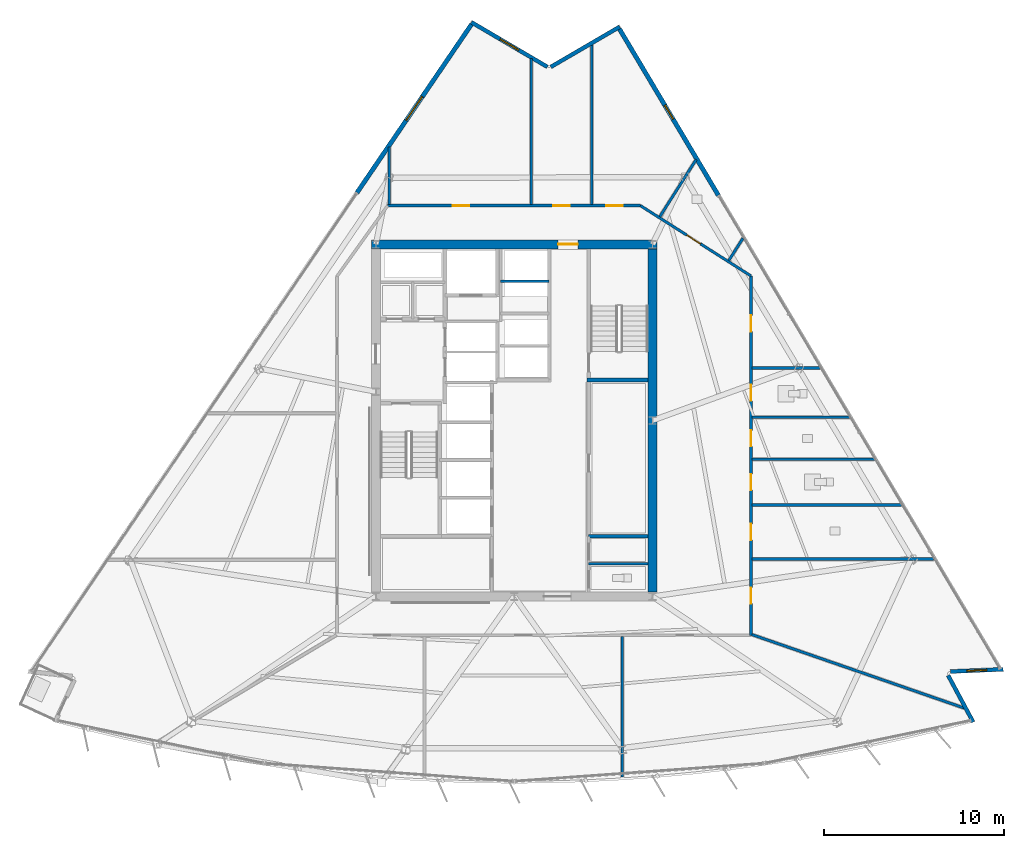
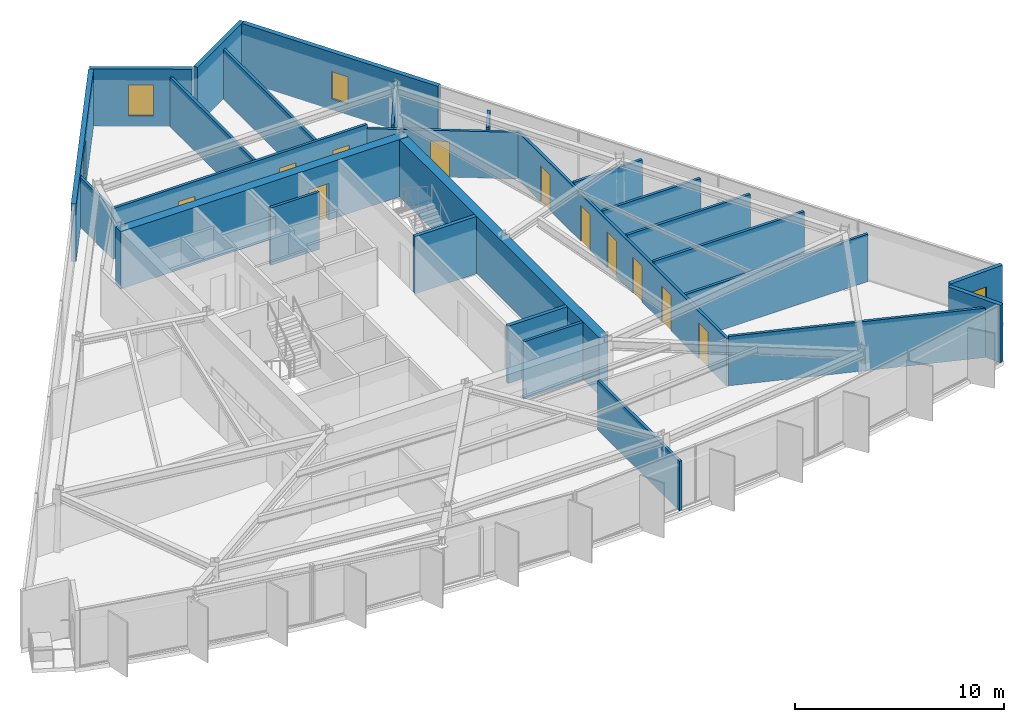
# One storey, part 9 of 15: 27 walls, 11 doors, 4 windows, 15 openings.
"""IFC4 building model written with IfcOpenShell, lengths in metres."""

from ifc_helpers import new_model, si_unit, direction, frame, frame_2d, origin, place, context, subcontext, project, spatial, rectangle, extrude, material, layer, layer_set, type_object, element, fill, save


model = new_model("IFC4")

# Units and contexts
model_context = context("Model", 3, precision=1e-05, world=origin(), true_north=direction((0.0, 1.0)))
body_context = subcontext(model_context, "Body", "Model", "MODEL_VIEW")
ifc_project = project(units=[si_unit("LENGTHUNIT", "METRE"), si_unit("AREAUNIT", "SQUARE_METRE"), si_unit("VOLUMEUNIT", "CUBIC_METRE"), si_unit("PLANEANGLEUNIT", "RADIAN"), si_unit("MASSUNIT", "GRAM", prefix="KILO")], contexts=[model_context])

# Site, building, storey
site_placement = place(None, origin())
site = spatial("IfcSite", under=ifc_project, at=site_placement, CompositionType="ELEMENT")
building_placement = place(site_placement, origin())
building = spatial("IfcBuilding", under=site, at=building_placement, Name="Savorim Split Tower", CompositionType="ELEMENT")
storey_placement = place(building_placement, frame((0.0, 0.0, 145.800048828125)))
storey = spatial("IfcBuildingStorey", under=building, at=storey_placement, Name="L38", CompositionType="ELEMENT", Elevation=145.800048828125)

# Wall, opening, door
ifc_material_1 = material(Name="Concrete C60/75", Category="concrete")
ifc_layer_1 = layer(ifc_material_1, 0.5)
ifc_layer_set_1 = layer_set([ifc_layer_1], Name="WAL-COR-SH500")
wall_type_1 = type_object("IfcWallType", Name="WAL-COR-SH500", PredefinedType="SHEAR", material=ifc_layer_set_1)
wall_1_placement = place(storey_placement, frame((7.949951171875, 10.199951171875, 0.0), z_axis=(0.0, 0.0, 1.0), x_axis=(-1.0, 0.0, 0.0)))
wall_1 = element("IfcWall", 1, at=wall_1_placement, inside=storey, type_object=wall_type_1, Name="L38 Offset Core North Shear Wall", PredefinedType="SHEAR", context=body_context, shape_type="SweptSolid", body=[
    extrude(rectangle(XDim=15.89990234375, YDim=0.5, at=frame_2d((7.949951171875, 0.0))), origin(), (0.0, 0.0, 1.0), 3.349853515625),
])
opening_1_placement = place(wall_1_placement, frame((4.39990234375, 0.0, 0.0)))
opening_1 = element("IfcOpeningElement", 2, at=opening_1_placement, cuts=wall_1, Name="Opening DI-03", PredefinedType="OPENING", context=body_context, shape_type="SweptSolid", body=[
    extrude(rectangle(XDim=1.10009765625, YDim=2.14990234375, at=frame_2d((0.550048828125, 1.074951171875))), frame((0.0, 0.260009765625, 0.0), z_axis=(0.0, -1.0, 0.0), x_axis=(1.0, 0.0, 0.0)), (0.0, 0.0, 1.0), 0.52001953125),
])
ifc_material_2 = material(Name="Timber Fire Door Leaf", Category="wood")
door_type_1 = type_object("IfcDoorType", Name="DOR-FIR-1100", OperationType="NOTDEFINED", PredefinedType="DOOR", material=ifc_material_2)
door_1_placement = place(opening_1_placement, origin())
door_1 = element("IfcDoor", 3, at=door_1_placement, inside=storey, type_object=door_type_1, Name="DOR-L38-COR-NLOB - L38 North Corridor Lobby Fire Door", OperationType="SINGLE_SWING_LEFT", OverallHeight=2.14990234375, OverallWidth=1.10009765625, PredefinedType="DOOR", context=body_context, shape_type="SweptSolid", body=[
    extrude(rectangle(XDim=1.10009765625, YDim=2.14990234375, at=frame_2d((0.550048828125, 1.074951171875))), frame((0.0, 0.02490234375, 0.0), z_axis=(0.0, -1.0, 0.0), x_axis=(1.0, 0.0, 0.0)), (0.0, 0.0, 1.0), 0.050048828125),
])
fill(opening_1, door_1)

# Walls
wall_2_placement = place(storey_placement, frame((7.699951171875, 9.949951171875, 0.0), z_axis=(0.0, 0.0, 1.0), x_axis=(0.0, -1.0, 0.0)))
element("IfcWall", 4, at=wall_2_placement, inside=storey, type_object=wall_type_1, Name="L38 Offset Core East Shear Wall", PredefinedType="SHEAR", context=body_context, shape_type="SweptSolid", body=[
    extrude(rectangle(XDim=19.099853515625, YDim=0.5, at=frame_2d((9.5498046875, 0.0))), origin(), (0.0, 0.0, 1.0), 3.349853515625),
])
ifc_material_3 = material(Name="Precast concrete C40/50", Category="concrete")
ifc_layer_2 = layer(ifc_material_3, 0.219970703125)
ifc_layer_set_2 = layer_set([ifc_layer_2], Name="WAL-EXT-CRN220")
wall_type_2 = type_object("IfcWallType", Name="WAL-EXT-CRN220", PredefinedType="SOLIDWALL", material=ifc_layer_set_2)
wall_3_placement = place(storey_placement, frame((24.15478515625, -13.789794921875, 0.0), z_axis=(0.0, 0.0, 1.0), x_axis=(0.472795751791, -0.881172047383, 0.0)))
element("IfcWall", 5, at=wall_3_placement, inside=storey, type_object=wall_type_2, Name="L38 Notched Corner Facade Wall SE1", PredefinedType="SOLIDWALL", context=body_context, shape_type="SweptSolid", body=[
    extrude(rectangle(XDim=2.948486328125, YDim=0.219970703125, at=frame_2d((1.47412109375, 0.0))), origin(), (0.0, 0.0, 1.0), 3.349853515625),
])

# Wall, opening, window
wall_4_placement = place(storey_placement, frame((27.219482421875, -13.450927734375, 0.0), z_axis=(0.0, 0.0, 1.0), x_axis=(-0.999095615947, -0.042519997593, 0.0)))
wall_4 = element("IfcWall", 6, at=wall_4_placement, inside=storey, type_object=wall_type_2, Name="L38 Notched Corner Facade Wall SE", PredefinedType="SOLIDWALL", context=body_context, shape_type="SweptSolid", body=[
    extrude(rectangle(XDim=2.945556640625, YDim=0.219970703125, at=frame_2d((1.47265625, 0.0))), origin(), (0.0, 0.0, 1.0), 3.349853515625),
])
opening_2_placement = place(wall_4_placement, frame((0.9228515625, 0.0, 0.6201171875)))
opening_2 = element("IfcOpeningElement", 7, at=opening_2_placement, cuts=wall_4, Name="Opening WN-09", PredefinedType="OPENING", context=body_context, shape_type="SweptSolid", body=[
    extrude(rectangle(XDim=1.10009765625, YDim=1.800048828125, at=frame_2d((0.550048828125, 0.89990234375))), frame((0.0, 0.119873046875, 0.0), z_axis=(0.0, -1.0, 0.0), x_axis=(1.0, 0.0, 0.0)), (0.0, 0.0, 1.0), 0.239990234375),
])
ifc_material_4 = material(Name="Low-E Operable Double Glazing", Category="glass")
window_type_1 = type_object("IfcWindowType", Name="WIN-TWR-1100x1800", PartitioningType="SINGLE_PANEL", PredefinedType="WINDOW", material=ifc_material_4)
window_1_placement = place(opening_2_placement, origin())
window_1 = element("IfcWindow", 8, at=window_1_placement, inside=storey, type_object=window_type_1, Name="L38 Operable Corner Window SE", OverallHeight=1.800048828125, OverallWidth=1.10009765625, PartitioningType="SINGLE_PANEL", PredefinedType="WINDOW", context=body_context, shape_type="SweptSolid", body=[
    extrude(rectangle(XDim=1.10009765625, YDim=1.800048828125, at=frame_2d((0.550048828125, 0.89990234375))), frame((0.0, 0.030029296875, 0.0), z_axis=(0.0, -1.0, 0.0), x_axis=(1.0, 0.0, 0.0)), (0.0, 0.0, 1.0), 0.06005859375),
])
fill(opening_2, window_1)

# Wall
wall_5_placement = place(storey_placement, frame((2.03857421875, 20.079345703125, 0.0), z_axis=(0.0, 0.0, 1.0), x_axis=(0.86398603623, 0.503515768571, 0.0)))
element("IfcWall", 9, at=wall_5_placement, inside=storey, type_object=wall_type_2, Name="L38 Notched Corner Facade Wall NE1", PredefinedType="SOLIDWALL", context=body_context, shape_type="SweptSolid", body=[
    extrude(rectangle(XDim=4.4443359375, YDim=0.219970703125, at=frame_2d((2.22216796875, 0.0))), origin(), (0.0, 0.0, 1.0), 3.349853515625),
])

# Wall, opening, window
wall_6_placement = place(storey_placement, frame((-2.384521484375, 22.5673828125, 0.0), z_axis=(0.0, 0.0, 1.0), x_axis=(0.8621258938, -0.506694131839, 0.0)))
wall_6 = element("IfcWall", 10, at=wall_6_placement, inside=storey, type_object=wall_type_2, Name="L38 Notched Corner Facade Wall N", PredefinedType="SOLIDWALL", context=body_context, shape_type="SweptSolid", body=[
    extrude(rectangle(XDim=4.909912109375, YDim=0.219970703125, at=frame_2d((2.455078125, 0.0))), origin(), (0.0, 0.0, 1.0), 3.349853515625),
])
opening_3_placement = place(wall_6_placement, frame((1.854736328125, 0.0, 0.6201171875)))
opening_3 = element("IfcOpeningElement", 11, at=opening_3_placement, cuts=wall_6, Name="Opening WN-08", PredefinedType="OPENING", context=body_context, shape_type="SweptSolid", body=[
    extrude(rectangle(XDim=1.199951171875, YDim=1.800048828125, at=frame_2d((0.60009765625, 0.89990234375))), frame((0.0, 0.119873046875, 0.0), z_axis=(0.0, -1.0, 0.0), x_axis=(1.0, 0.0, 0.0)), (0.0, 0.0, 1.0), 0.239990234375),
])
window_type_2 = type_object("IfcWindowType", Name="WIN-TWR-1200x1800", PartitioningType="SINGLE_PANEL", PredefinedType="WINDOW", material=ifc_material_4)
window_2_placement = place(opening_3_placement, origin())
window_2 = element("IfcWindow", 12, at=window_2_placement, inside=storey, type_object=window_type_2, Name="L38 Operable Corner Window N", OverallHeight=1.800048828125, OverallWidth=1.199951171875, PartitioningType="SINGLE_PANEL", PredefinedType="WINDOW", context=body_context, shape_type="SweptSolid", body=[
    extrude(rectangle(XDim=1.199951171875, YDim=1.800048828125, at=frame_2d((0.60009765625, 0.89990234375))), frame((0.0, 0.030029296875, 0.0), z_axis=(0.0, -1.0, 0.0), x_axis=(1.0, 0.0, 0.0)), (0.0, 0.0, 1.0), 0.06005859375),
])
fill(opening_3, window_2)

ifc_layer_3 = layer(ifc_material_3, 0.25)
ifc_layer_set_3 = layer_set([ifc_layer_3], Name="WAL-EXT-SPN250")
wall_type_3 = type_object("IfcWallType", Name="WAL-EXT-SPN250", PredefinedType="SOLIDWALL", material=ifc_layer_set_3)
wall_7_placement = place(storey_placement, frame((5.86181640625, 22.1904296875, 0.0), z_axis=(0.0, 0.0, 1.0), x_axis=(0.511083986456, -0.859530778267, 0.0)))
wall_7 = element("IfcWall", 13, at=wall_7_placement, inside=storey, type_object=wall_type_3, Name="L38 East Operable Window Pier", PredefinedType="SOLIDWALL", context=body_context, shape_type="SweptSolid", body=[
    extrude(rectangle(XDim=10.778076171875, YDim=0.25, at=frame_2d((5.38916015625, 0.0))), origin(), (0.0, 0.0, 1.0), 3.349853515625),
])
opening_4_placement = place(wall_7_placement, frame((4.939208984375, 0.0, 0.6201171875)))
opening_4 = element("IfcOpeningElement", 14, at=opening_4_placement, cuts=wall_7, Name="Opening WN-10", PredefinedType="OPENING", context=body_context, shape_type="SweptSolid", body=[
    extrude(rectangle(XDim=0.89990234375, YDim=1.60009765625, at=frame_2d((0.449951171875, 0.800048828125))), frame((0.0, 0.135009765625, 0.0), z_axis=(0.0, -1.0, 0.0), x_axis=(1.0, 0.0, 0.0)), (0.0, 0.0, 1.0), 0.27001953125),
])
window_type_3 = type_object("IfcWindowType", Name="WIN-TWR-900x1600", PartitioningType="SINGLE_PANEL", PredefinedType="WINDOW", material=ifc_material_4)
window_3_placement = place(opening_4_placement, origin())
window_3 = element("IfcWindow", 15, at=window_3_placement, inside=storey, type_object=window_type_3, Name="L38 East Operable Ventilation Window", OverallHeight=1.60009765625, OverallWidth=0.89990234375, PartitioningType="SINGLE_PANEL", PredefinedType="WINDOW", context=body_context, shape_type="SweptSolid", body=[
    extrude(rectangle(XDim=0.89990234375, YDim=1.60009765625, at=frame_2d((0.449951171875, 0.800048828125))), frame((0.0, 0.030029296875, 0.0), z_axis=(0.0, -1.0, 0.0), x_axis=(1.0, 0.0, 0.0)), (0.0, 0.0, 1.0), 0.06005859375),
])
fill(opening_4, window_3)

wall_8_placement = place(storey_placement, frame((-8.75048828125, 13.080810546875, 0.0), z_axis=(0.0, 0.0, 1.0), x_axis=(0.562463958751, 0.82682180372, 0.0)))
wall_8 = element("IfcWall", 16, at=wall_8_placement, inside=storey, type_object=wall_type_3, Name="L38 West Operable Window Pier", PredefinedType="SOLIDWALL", context=body_context, shape_type="SweptSolid", body=[
    extrude(rectangle(XDim=11.321533203125, YDim=0.25, at=frame_2d((5.66064453125, 0.0))), origin(), (0.0, 0.0, 1.0), 3.349853515625),
])
opening_5_placement = place(wall_8_placement, frame((4.860595703125, 0.0, 0.6201171875)))
opening_5 = element("IfcOpeningElement", 17, at=opening_5_placement, cuts=wall_8, Name="Opening WN-05", PredefinedType="OPENING", context=body_context, shape_type="SweptSolid", body=[
    extrude(rectangle(XDim=1.60009765625, YDim=2.10009765625, at=frame_2d((0.800048828125, 1.050048828125))), frame((0.0, 0.135009765625, 0.0), z_axis=(0.0, -1.0, 0.0), x_axis=(1.0, 0.0, 0.0)), (0.0, 0.0, 1.0), 0.27001953125),
])
window_type_4 = type_object("IfcWindowType", Name="WIN-TWR-1600x2100", PartitioningType="DOUBLE_PANEL_VERTICAL", PredefinedType="WINDOW", material=ifc_material_4)
window_4_placement = place(opening_5_placement, origin())
window_4 = element("IfcWindow", 18, at=window_4_placement, inside=storey, type_object=window_type_4, Name="L38 West Operable Ventilation Window", OverallHeight=2.10009765625, OverallWidth=1.60009765625, PartitioningType="SINGLE_PANEL", PredefinedType="WINDOW", context=body_context, shape_type="SweptSolid", body=[
    extrude(rectangle(XDim=1.60009765625, YDim=2.10009765625, at=frame_2d((0.800048828125, 1.050048828125))), frame((0.0, 0.030029296875, 0.0), z_axis=(0.0, -1.0, 0.0), x_axis=(1.0, 0.0, 0.0)), (0.0, 0.0, 1.0), 0.06005859375),
])
fill(opening_5, window_4)

# Walls
ifc_material_5 = material(Name="Concrete C50/60", Category="concrete")
ifc_layer_4 = layer(ifc_material_5, 0.199951171875)
ifc_layer_set_4 = layer_set([ifc_layer_4], Name="WAL-INT-RC200")
wall_type_4 = type_object("IfcWallType", Name="WAL-INT-RC200", PredefinedType="SOLIDWALL", material=ifc_layer_set_4)
wall_9_placement = place(storey_placement, frame((4.050048828125, 2.64990234375, 0.0), z_axis=(0.0, 0.0, 1.0), x_axis=(1.0, 0.0, 0.0)))
element("IfcWall", 19, at=wall_9_placement, inside=storey, type_object=wall_type_4, Name="L38 Structural Shaft Wall W-L38-CR08", PredefinedType="SOLIDWALL", context=body_context, shape_type="SweptSolid", body=[
    extrude(rectangle(XDim=3.39990234375, YDim=0.199951171875, at=frame_2d((1.699951171875, 0.0))), origin(), (0.0, 0.0, 1.0), 3.349853515625),
])
wall_10_placement = place(storey_placement, frame((4.14990234375, -6.050048828125, 0.0), z_axis=(0.0, 0.0, 1.0), x_axis=(1.0, 0.0, 0.0)))
element("IfcWall", 20, at=wall_10_placement, inside=storey, type_object=wall_type_4, Name="L38 Partition W-L38-KSEP-E", PredefinedType="SOLIDWALL", context=body_context, shape_type="SweptSolid", body=[
    extrude(rectangle(XDim=3.295166015625, YDim=0.199951171875, at=frame_2d((1.6474609375, 0.0))), origin(), (0.0, 0.0, 1.0), 3.349853515625),
])
ifc_material_6 = material(Name="Acoustic Gypsum Partition Board")
ifc_layer_5 = layer(ifc_material_6, 0.14990234375)
ifc_layer_set_5 = layer_set([ifc_layer_5], Name="WAL-PAR-150")
wall_type_5 = type_object("IfcWallType", Name="WAL-PAR-150", PredefinedType="PARTITIONING", material=ifc_layer_set_5)
wall_11_placement = place(storey_placement, frame((-0.75, 8.14990234375, 0.0), z_axis=(0.0, 0.0, 1.0), x_axis=(1.0, 0.0, 0.0)))
element("IfcWall", 21, at=wall_11_placement, inside=storey, type_object=wall_type_5, Name="L38 Partition W-L38-B3DIV3", PredefinedType="PARTITIONING", context=body_context, shape_type="SweptSolid", body=[
    extrude(rectangle(XDim=2.699951171875, YDim=0.14990234375, at=frame_2d((1.35009765625, 0.0))), origin(), (0.0, 0.0, 1.0), 3.349853515625),
])
wall_12_placement = place(storey_placement, frame((4.14990234375, -7.580078125, 0.0), z_axis=(0.0, 0.0, 1.0), x_axis=(1.0, 0.0, 0.0)))
element("IfcWall", 22, at=wall_12_placement, inside=storey, type_object=wall_type_5, Name="L38 Partition W-L38-K3H", PredefinedType="PARTITIONING", context=body_context, shape_type="SweptSolid", body=[
    extrude(rectangle(XDim=3.295166015625, YDim=0.14990234375, at=frame_2d((1.6474609375, 0.0))), origin(), (0.0, 0.0, 1.0), 3.349853515625),
])

# Wall, openings, doors
wall_13_placement = place(storey_placement, frame((-7.041015625, 12.360107421875, 0.0), z_axis=(0.0, 0.0, 1.0), x_axis=(1.0, 0.0, 0.0)))
wall_13 = element("IfcWall", 23, at=wall_13_placement, inside=storey, type_object=wall_type_5, Name="L38 Partition W-L38-COR-03", PredefinedType="PARTITIONING", context=body_context, shape_type="SweptSolid", body=[
    extrude(rectangle(XDim=14.064208984375, YDim=0.14990234375, at=frame_2d((7.0322265625, 0.0))), origin(), (0.0, 0.0, 1.0), 2.96484375),
])
opening_6_placement = place(wall_13_placement, frame((12.17041015625, 0.0, 0.0)))
opening_6 = element("IfcOpeningElement", 24, at=opening_6_placement, cuts=wall_13, Name="Opening DI-06", PredefinedType="OPENING", context=body_context, shape_type="SweptSolid", body=[
    extrude(rectangle(XDim=0.89990234375, YDim=2.10009765625, at=frame_2d((0.449951171875, 1.050048828125))), frame((0.0, 0.0849609375, 0.0), z_axis=(0.0, -1.0, 0.0), x_axis=(1.0, 0.0, 0.0)), (0.0, 0.0, 1.0), 0.169921875),
])
opening_7_placement = place(wall_13_placement, frame((9.22265625, 0.0, 0.0)))
opening_7 = element("IfcOpeningElement", 25, at=opening_7_placement, cuts=wall_13, Name="Opening DI-06", PredefinedType="OPENING", context=body_context, shape_type="SweptSolid", body=[
    extrude(rectangle(XDim=0.89990234375, YDim=2.10009765625, at=frame_2d((0.449951171875, 1.050048828125))), frame((0.0, 0.0849609375, 0.0), z_axis=(0.0, -1.0, 0.0), x_axis=(1.0, 0.0, 0.0)), (0.0, 0.0, 1.0), 0.169921875),
])
opening_8_placement = place(wall_13_placement, frame((3.634521484375, 0.0, 0.0)))
opening_8 = element("IfcOpeningElement", 26, at=opening_8_placement, cuts=wall_13, Name="Opening DI-06", PredefinedType="OPENING", context=body_context, shape_type="SweptSolid", body=[
    extrude(rectangle(XDim=0.89990234375, YDim=2.10009765625, at=frame_2d((0.449951171875, 1.050048828125))), frame((0.0, 0.0849609375, 0.0), z_axis=(0.0, -1.0, 0.0), x_axis=(1.0, 0.0, 0.0)), (0.0, 0.0, 1.0), 0.169921875),
])
door_type_2 = type_object("IfcDoorType", Name="DOR-FIR-900", OperationType="NOTDEFINED", PredefinedType="DOOR", material=ifc_material_2)
door_2_placement = place(opening_6_placement, origin())
door_2 = element("IfcDoor", 27, at=door_2_placement, inside=storey, type_object=door_type_2, Name="DR-L38-RM13 - L38 Quiet Study Room Entry Door", OperationType="SINGLE_SWING_RIGHT", OverallHeight=2.10009765625, OverallWidth=0.89990234375, PredefinedType="DOOR", context=body_context, shape_type="SweptSolid", body=[
    extrude(rectangle(XDim=0.89990234375, YDim=2.10009765625, at=frame_2d((0.449951171875, 1.050048828125))), frame((0.0, 0.02490234375, 0.0), z_axis=(0.0, -1.0, 0.0), x_axis=(1.0, 0.0, 0.0)), (0.0, 0.0, 1.0), 0.050048828125),
])
fill(opening_6, door_2)
door_3_placement = place(opening_7_placement, origin())
door_3 = element("IfcDoor", 28, at=door_3_placement, inside=storey, type_object=door_type_2, Name="DR-L38-RM14 - L38 Quiet Study Room Entry Door", OperationType="SINGLE_SWING_LEFT", OverallHeight=2.10009765625, OverallWidth=0.89990234375, PredefinedType="DOOR", context=body_context, shape_type="SweptSolid", body=[
    extrude(rectangle(XDim=0.89990234375, YDim=2.10009765625, at=frame_2d((0.449951171875, 1.050048828125))), frame((0.0, 0.02490234375, 0.0), z_axis=(0.0, -1.0, 0.0), x_axis=(1.0, 0.0, 0.0)), (0.0, 0.0, 1.0), 0.050048828125),
])
fill(opening_7, door_3)
door_4_placement = place(opening_8_placement, origin())
door_4 = element("IfcDoor", 29, at=door_4_placement, inside=storey, type_object=door_type_2, Name="DR-L38-RM15 - L38 Co-Working Commons Entry Door", OperationType="SINGLE_SWING_RIGHT", OverallHeight=2.10009765625, OverallWidth=0.89990234375, PredefinedType="DOOR", context=body_context, shape_type="SweptSolid", body=[
    extrude(rectangle(XDim=0.89990234375, YDim=2.10009765625, at=frame_2d((0.449951171875, 1.050048828125))), frame((0.0, 0.02490234375, 0.0), z_axis=(0.0, -1.0, 0.0), x_axis=(1.0, 0.0, 0.0)), (0.0, 0.0, 1.0), 0.050048828125),
])
fill(opening_8, door_4)

# Wall, opening, door
wall_14_placement = place(storey_placement, frame((7.023193359375, 12.360107421875, 0.0), z_axis=(0.0, 0.0, 1.0), x_axis=(0.84376480085, -0.536713108511, 0.0)))
wall_14 = element("IfcWall", 30, at=wall_14_placement, inside=storey, type_object=wall_type_5, Name="L38 Partition W-L38-COR-04", PredefinedType="PARTITIONING", context=body_context, shape_type="SweptSolid", body=[
    extrude(rectangle(XDim=7.296630859375, YDim=0.14990234375, at=frame_2d((3.6484375, 0.0))), origin(), (0.0, 0.0, 1.0), 2.724853515625),
])
opening_9_placement = place(wall_14_placement, frame((3.069580078125, 0.0, 0.0)))
opening_9 = element("IfcOpeningElement", 31, at=opening_9_placement, cuts=wall_14, Name="Opening DI-06", PredefinedType="OPENING", context=body_context, shape_type="SweptSolid", body=[
    extrude(rectangle(XDim=0.89990234375, YDim=2.10009765625, at=frame_2d((0.449951171875, 1.050048828125))), frame((0.0, 0.0849609375, 0.0), z_axis=(0.0, -1.0, 0.0), x_axis=(1.0, 0.0, 0.0)), (0.0, 0.0, 1.0), 0.169921875),
])
door_5_placement = place(opening_9_placement, origin())
door_5 = element("IfcDoor", 32, at=door_5_placement, inside=storey, type_object=door_type_2, Name="DR-L38-RM12 - L38 Shared Kitchen Entry Door", OperationType="SINGLE_SWING_LEFT", OverallHeight=2.10009765625, OverallWidth=0.89990234375, PredefinedType="DOOR", context=body_context, shape_type="SweptSolid", body=[
    extrude(rectangle(XDim=0.89990234375, YDim=2.10009765625, at=frame_2d((0.449951171875, 1.050048828125))), frame((0.0, 0.02490234375, 0.0), z_axis=(0.0, -1.0, 0.0), x_axis=(1.0, 0.0, 0.0)), (0.0, 0.0, 1.0), 0.050048828125),
])
fill(opening_9, door_5)

# Wall, openings, doors
wall_15_placement = place(storey_placement, frame((13.179931640625, 8.44384765625, 0.0), z_axis=(0.0, 0.0, 1.0), x_axis=(0.0, -1.0, 0.0)))
wall_15 = element("IfcWall", 33, at=wall_15_placement, inside=storey, type_object=wall_type_5, Name="L38 Partition W-L38-COR-05", PredefinedType="PARTITIONING", context=body_context, shape_type="SweptSolid", body=[
    extrude(rectangle(XDim=20.00390625, YDim=0.14990234375, at=frame_2d((10.001953125, 0.0))), origin(), (0.0, 0.0, 1.0), 2.77490234375),
])
opening_10_placement = place(wall_15_placement, frame((17.342041015625, 0.0, 0.0)))
opening_10 = element("IfcOpeningElement", 34, at=opening_10_placement, cuts=wall_15, Name="Opening DI-06", PredefinedType="OPENING", context=body_context, shape_type="SweptSolid", body=[
    extrude(rectangle(XDim=0.89990234375, YDim=2.10009765625, at=frame_2d((0.449951171875, 1.050048828125))), frame((0.0, 0.0849609375, 0.0), z_axis=(0.0, -1.0, 0.0), x_axis=(1.0, 0.0, 0.0)), (0.0, 0.0, 1.0), 0.169921875),
])
opening_11_placement = place(wall_15_placement, frame((13.8037109375, 0.0, 0.0)))
opening_11 = element("IfcOpeningElement", 35, at=opening_11_placement, cuts=wall_15, Name="Opening DI-06", PredefinedType="OPENING", context=body_context, shape_type="SweptSolid", body=[
    extrude(rectangle(XDim=0.89990234375, YDim=2.10009765625, at=frame_2d((0.449951171875, 1.050048828125))), frame((0.0, 0.0849609375, 0.0), z_axis=(0.0, -1.0, 0.0), x_axis=(1.0, 0.0, 0.0)), (0.0, 0.0, 1.0), 0.169921875),
])
opening_12_placement = place(wall_15_placement, frame((11.0283203125, 0.0, 0.0)))
opening_12 = element("IfcOpeningElement", 36, at=opening_12_placement, cuts=wall_15, Name="Opening DI-11", PredefinedType="OPENING", context=body_context, shape_type="SweptSolid", body=[
    extrude(rectangle(XDim=0.89990234375, YDim=2.10009765625, at=frame_2d((0.449951171875, 1.050048828125))), frame((0.0, 0.0849609375, 0.0), z_axis=(0.0, -1.0, 0.0), x_axis=(1.0, 0.0, 0.0)), (0.0, 0.0, 1.0), 0.169921875),
])
opening_13_placement = place(wall_15_placement, frame((8.59033203125, 0.0, 0.0)))
opening_13 = element("IfcOpeningElement", 37, at=opening_13_placement, cuts=wall_15, Name="Opening DI-06", PredefinedType="OPENING", context=body_context, shape_type="SweptSolid", body=[
    extrude(rectangle(XDim=0.89990234375, YDim=2.10009765625, at=frame_2d((0.449951171875, 1.050048828125))), frame((0.0, 0.0849609375, 0.0), z_axis=(0.0, -1.0, 0.0), x_axis=(1.0, 0.0, 0.0)), (0.0, 0.0, 1.0), 0.169921875),
])
opening_14_placement = place(wall_15_placement, frame((6.048828125, 0.0, 0.0)))
opening_14 = element("IfcOpeningElement", 38, at=opening_14_placement, cuts=wall_15, Name="Opening DI-11", PredefinedType="OPENING", context=body_context, shape_type="SweptSolid", body=[
    extrude(rectangle(XDim=0.89990234375, YDim=2.10009765625, at=frame_2d((0.449951171875, 1.050048828125))), frame((0.0, 0.0849609375, 0.0), z_axis=(0.0, -1.0, 0.0), x_axis=(1.0, 0.0, 0.0)), (0.0, 0.0, 1.0), 0.169921875),
])
opening_15_placement = place(wall_15_placement, frame((2.201416015625, 0.0, 0.0)))
opening_15 = element("IfcOpeningElement", 39, at=opening_15_placement, cuts=wall_15, Name="Opening DI-06", PredefinedType="OPENING", context=body_context, shape_type="SweptSolid", body=[
    extrude(rectangle(XDim=0.89990234375, YDim=2.10009765625, at=frame_2d((0.449951171875, 1.050048828125))), frame((0.0, 0.0849609375, 0.0), z_axis=(0.0, -1.0, 0.0), x_axis=(1.0, 0.0, 0.0)), (0.0, 0.0, 1.0), 0.169921875),
])
door_6_placement = place(opening_10_placement, origin())
door_6 = element("IfcDoor", 40, at=door_6_placement, inside=storey, type_object=door_type_2, Name="DR-L38-RM06 - L38 Maker Workshop Entry Door", OperationType="SINGLE_SWING_LEFT", OverallHeight=2.10009765625, OverallWidth=0.89990234375, PredefinedType="DOOR", context=body_context, shape_type="SweptSolid", body=[
    extrude(rectangle(XDim=0.89990234375, YDim=2.10009765625, at=frame_2d((0.449951171875, 1.050048828125))), frame((0.0, 0.02490234375, 0.0), z_axis=(0.0, -1.0, 0.0), x_axis=(1.0, 0.0, 0.0)), (0.0, 0.0, 1.0), 0.050048828125),
])
fill(opening_10, door_6)
door_7_placement = place(opening_11_placement, origin())
door_7 = element("IfcDoor", 41, at=door_7_placement, inside=storey, type_object=door_type_2, Name="DR-L38-RM07 - L38 Shared Kitchen Entry Door", OperationType="SINGLE_SWING_RIGHT", OverallHeight=2.10009765625, OverallWidth=0.89990234375, PredefinedType="DOOR", context=body_context, shape_type="SweptSolid", body=[
    extrude(rectangle(XDim=0.89990234375, YDim=2.10009765625, at=frame_2d((0.449951171875, 1.050048828125))), frame((0.0, 0.02490234375, 0.0), z_axis=(0.0, -1.0, 0.0), x_axis=(1.0, 0.0, 0.0)), (0.0, 0.0, 1.0), 0.050048828125),
])
fill(opening_11, door_7)
door_8_placement = place(opening_13_placement, origin())
door_8 = element("IfcDoor", 42, at=door_8_placement, inside=storey, type_object=door_type_2, Name="DR-L38-RM09 - L38 Shared Kitchen Entry Door", OperationType="SINGLE_SWING_RIGHT", OverallHeight=2.10009765625, OverallWidth=0.89990234375, PredefinedType="DOOR", context=body_context, shape_type="SweptSolid", body=[
    extrude(rectangle(XDim=0.89990234375, YDim=2.10009765625, at=frame_2d((0.449951171875, 1.050048828125))), frame((0.0, 0.02490234375, 0.0), z_axis=(0.0, -1.0, 0.0), x_axis=(1.0, 0.0, 0.0)), (0.0, 0.0, 1.0), 0.050048828125),
])
fill(opening_13, door_8)
door_9_placement = place(opening_15_placement, origin())
door_9 = element("IfcDoor", 43, at=door_9_placement, inside=storey, type_object=door_type_2, Name="DR-L38-RM11 - L38 Co-Living Bedroom Entry Door", OperationType="SINGLE_SWING_RIGHT", OverallHeight=2.10009765625, OverallWidth=0.89990234375, PredefinedType="DOOR", context=body_context, shape_type="SweptSolid", body=[
    extrude(rectangle(XDim=0.89990234375, YDim=2.10009765625, at=frame_2d((0.449951171875, 1.050048828125))), frame((0.0, 0.02490234375, 0.0), z_axis=(0.0, -1.0, 0.0), x_axis=(1.0, 0.0, 0.0)), (0.0, 0.0, 1.0), 0.050048828125),
])
fill(opening_15, door_9)
ifc_material_7 = material(Name="Oak Veneer Acoustic Door")
door_type_3 = type_object("IfcDoorType", Name="DOR-WC-900", OperationType="NOTDEFINED", PredefinedType="DOOR", material=ifc_material_7)
door_10_placement = place(opening_12_placement, origin())
door_10 = element("IfcDoor", 44, at=door_10_placement, inside=storey, type_object=door_type_3, Name="DR-L38-RM08 - L38 Shared Bathroom Entry Door", OperationType="SINGLE_SWING_LEFT", OverallHeight=2.10009765625, OverallWidth=0.89990234375, PredefinedType="DOOR", context=body_context, shape_type="SweptSolid", body=[
    extrude(rectangle(XDim=0.89990234375, YDim=2.10009765625, at=frame_2d((0.449951171875, 1.050048828125))), frame((0.0, 0.02490234375, 0.0), z_axis=(0.0, -1.0, 0.0), x_axis=(1.0, 0.0, 0.0)), (0.0, 0.0, 1.0), 0.050048828125),
])
fill(opening_12, door_10)
door_11_placement = place(opening_14_placement, origin())
door_11 = element("IfcDoor", 45, at=door_11_placement, inside=storey, type_object=door_type_3, Name="DR-L38-RM10 - L38 Shared Bathroom Entry Door", OperationType="SINGLE_SWING_LEFT", OverallHeight=2.10009765625, OverallWidth=0.89990234375, PredefinedType="DOOR", context=body_context, shape_type="SweptSolid", body=[
    extrude(rectangle(XDim=0.89990234375, YDim=2.10009765625, at=frame_2d((0.449951171875, 1.050048828125))), frame((0.0, 0.02490234375, 0.0), z_axis=(0.0, -1.0, 0.0), x_axis=(1.0, 0.0, 0.0)), (0.0, 0.0, 1.0), 0.050048828125),
])
fill(opening_14, door_11)

# Walls
wall_16_placement = place(storey_placement, frame((6.022705078125, -11.6201171875, 0.0), z_axis=(0.0, 0.0, 1.0), x_axis=(0.0, -1.0, 0.0)))
element("IfcWall", 46, at=wall_16_placement, inside=storey, type_object=wall_type_5, Name="L38 Partition W-L38-PRAD03", PredefinedType="PARTITIONING", context=body_context, shape_type="SweptSolid", body=[
    extrude(rectangle(XDim=7.82470703125, YDim=0.14990234375, at=frame_2d((3.912353515625, 0.0))), origin(), (0.0, 0.0, 1.0), 2.885009765625),
])
wall_17_placement = place(storey_placement, frame((13.239990234375, -7.314453125, 0.0), z_axis=(0.0, 0.0, 1.0), x_axis=(1.0, 0.0, 0.0)))
element("IfcWall", 47, at=wall_17_placement, inside=storey, type_object=wall_type_5, Name="L38 Partition W-L38-PRAD05", PredefinedType="PARTITIONING", context=body_context, shape_type="SweptSolid", body=[
    extrude(rectangle(XDim=10.107666015625, YDim=0.14990234375, at=frame_2d((5.0537109375, 0.0))), origin(), (0.0, 0.0, 1.0), 2.77490234375),
])
wall_18_placement = place(storey_placement, frame((13.239990234375, 3.319091796875, 0.0), z_axis=(0.0, 0.0, 1.0), x_axis=(1.0, 0.0, 0.0)))
element("IfcWall", 48, at=wall_18_placement, inside=storey, type_object=wall_type_5, Name="L38 Partition W-L38-PRAD06", PredefinedType="PARTITIONING", context=body_context, shape_type="SweptSolid", body=[
    extrude(rectangle(XDim=3.78466796875, YDim=0.14990234375, at=frame_2d((1.892333984375, 0.0))), origin(), (0.0, 0.0, 1.0), 2.885009765625),
])
wall_19_placement = place(storey_placement, frame((8.105712890625, 11.74267578125, 0.0), z_axis=(0.0, 0.0, 1.0), x_axis=(0.53670767223, 0.843768258807, 0.0)))
element("IfcWall", 49, at=wall_19_placement, inside=storey, type_object=wall_type_5, Name="L38 Partition W-L38-PRAD07", PredefinedType="PARTITIONING", context=body_context, shape_type="SweptSolid", body=[
    extrude(rectangle(XDim=3.765625, YDim=0.14990234375, at=frame_2d((1.8828125, 0.0))), origin(), (0.0, 0.0, 1.0), 2.885009765625),
])
wall_20_placement = place(storey_placement, frame((-6.9619140625, 12.419921875, 0.0), z_axis=(0.0, 0.0, 1.0), x_axis=(0.0, 1.0, 0.0)))
element("IfcWall", 50, at=wall_20_placement, inside=storey, type_object=wall_type_5, Name="L38 Partition W-L38-PRAD08", PredefinedType="PARTITIONING", context=body_context, shape_type="SweptSolid", body=[
    extrude(rectangle(XDim=3.201171875, YDim=0.14990234375, at=frame_2d((1.6005859375, 0.0))), origin(), (0.0, 0.0, 1.0), 2.885009765625),
])
wall_21_placement = place(storey_placement, frame((13.239990234375, -1.763671875, 0.0), z_axis=(0.0, 0.0, 1.0), x_axis=(1.0, 0.0, 0.0)))
element("IfcWall", 51, at=wall_21_placement, inside=storey, type_object=wall_type_5, Name="L38 Partition W-L38-SUB01", PredefinedType="PARTITIONING", context=body_context, shape_type="SweptSolid", body=[
    extrude(rectangle(XDim=6.80712890625, YDim=0.14990234375, at=frame_2d((3.403564453125, 0.0))), origin(), (0.0, 0.0, 1.0), 2.885009765625),
])
wall_22_placement = place(storey_placement, frame((11.944580078125, 9.30078125, 0.0), z_axis=(0.0, 0.0, 1.0), x_axis=(0.536638596357, 0.843812192908, 0.0)))
element("IfcWall", 52, at=wall_22_placement, inside=storey, type_object=wall_type_5, Name="L38 Partition W-L38-SUB02", PredefinedType="PARTITIONING", context=body_context, shape_type="SweptSolid", body=[
    extrude(rectangle(XDim=1.46728515625, YDim=0.14990234375, at=frame_2d((0.733642578125, 0.0))), origin(), (0.0, 0.0, 1.0), 2.885009765625),
])
wall_23_placement = place(storey_placement, frame((0.949462890625, 12.419921875, 0.0), z_axis=(0.0, 0.0, 1.0), x_axis=(0.0, 1.0, 0.0)))
element("IfcWall", 53, at=wall_23_placement, inside=storey, type_object=wall_type_5, Name="L38 Partition W-L38-SUB03", PredefinedType="PARTITIONING", context=body_context, shape_type="SweptSolid", body=[
    extrude(rectangle(XDim=8.1298828125, YDim=0.14990234375, at=frame_2d((4.06494140625, 0.0))), origin(), (0.0, 0.0, 1.0), 2.885009765625),
])
wall_24_placement = place(storey_placement, frame((13.233642578125, -11.5205078125, 0.0), z_axis=(0.0, 0.0, 1.0), x_axis=(0.945024735454, -0.326998852261, 0.0)))
element("IfcWall", 54, at=wall_24_placement, inside=storey, type_object=wall_type_5, Name="L38 Partition W-L38-SUB06", PredefinedType="PARTITIONING", context=body_context, shape_type="SweptSolid", body=[
    extrude(rectangle(XDim=12.53564453125, YDim=0.14990234375, at=frame_2d((6.267822265625, 0.0))), origin(), (0.0, 0.0, 1.0), 2.885009765625),
])
wall_25_placement = place(storey_placement, frame((13.239990234375, -4.304931640625, 0.0), z_axis=(0.0, 0.0, 1.0), x_axis=(1.0, 0.0, 0.0)))
element("IfcWall", 55, at=wall_25_placement, inside=storey, type_object=wall_type_5, Name="L38 Partition W-L38-SUB07", PredefinedType="PARTITIONING", context=body_context, shape_type="SweptSolid", body=[
    extrude(rectangle(XDim=8.318115234375, YDim=0.14990234375, at=frame_2d((4.1591796875, 0.0))), origin(), (0.0, 0.0, 1.0), 2.885009765625),
])
wall_26_placement = place(storey_placement, frame((13.239990234375, 0.57080078125, 0.0), z_axis=(0.0, 0.0, 1.0), x_axis=(1.0, 0.0, 0.0)))
element("IfcWall", 56, at=wall_26_placement, inside=storey, type_object=wall_type_5, Name="L38 Partition W-L38-SUB08", PredefinedType="PARTITIONING", context=body_context, shape_type="SweptSolid", body=[
    extrude(rectangle(XDim=5.4189453125, YDim=0.14990234375, at=frame_2d((2.70947265625, 0.0))), origin(), (0.0, 0.0, 1.0), 2.885009765625),
])
wall_27_placement = place(storey_placement, frame((4.313720703125, 12.419921875, 0.0), z_axis=(0.0, 0.0, 1.0), x_axis=(0.0, 1.0, 0.0)))
element("IfcWall", 57, at=wall_27_placement, inside=storey, type_object=wall_type_5, Name="L38 Partition W-L38-SUB09", PredefinedType="PARTITIONING", context=body_context, shape_type="SweptSolid", body=[
    extrude(rectangle(XDim=8.927490234375, YDim=0.14990234375, at=frame_2d((4.4638671875, 0.0))), origin(), (0.0, 0.0, 1.0), 2.885009765625),
])

save(model, "model.ifc")
